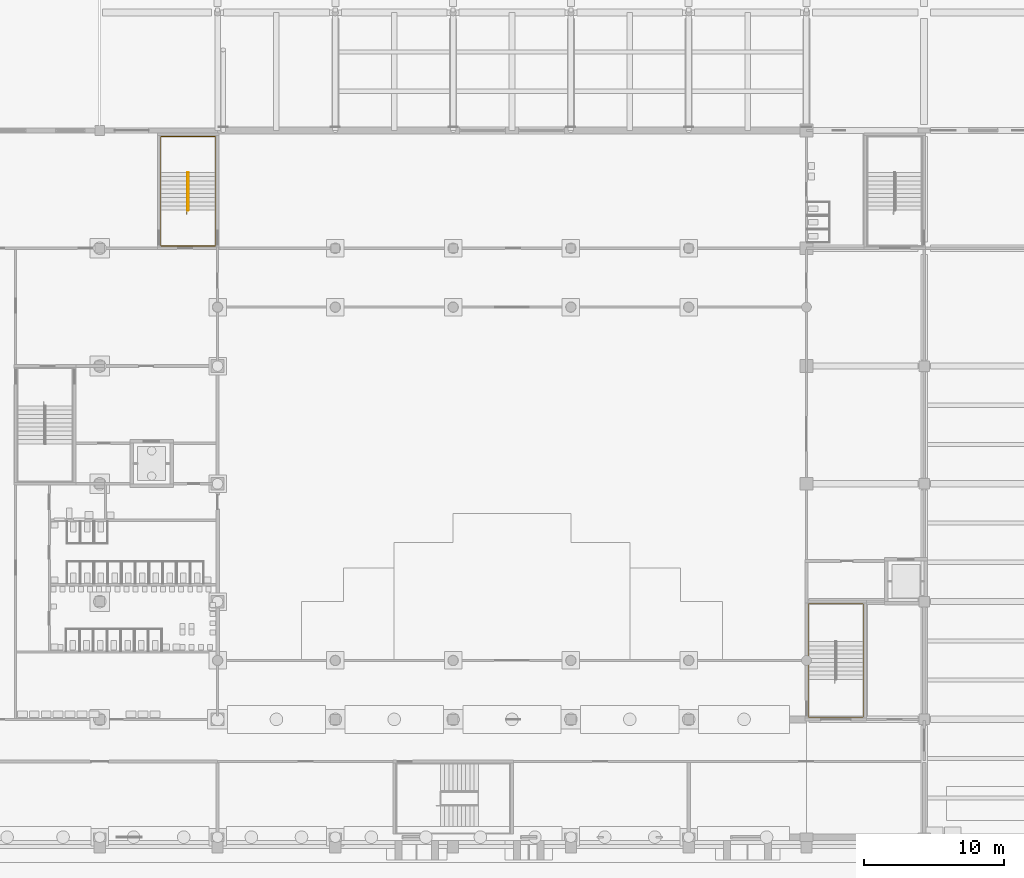
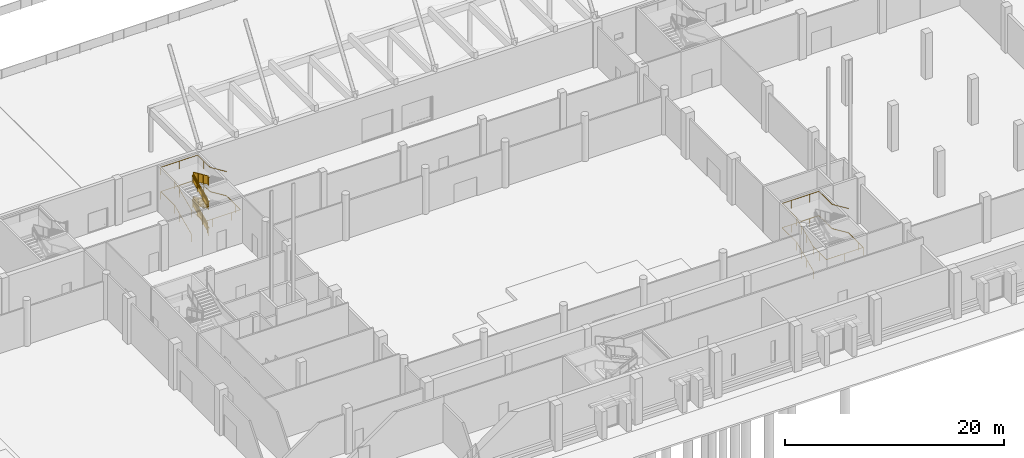
# One storey, part 62 of 74: 7 railings.
"""IFC4 building model written with IfcOpenShell, lengths in metres."""

from ifc_helpers import new_model, si_unit, direction, frame, origin, origin_2d, place, context, subcontext, project, spatial, polyline, circle, outline, extrude, material, type_object, element, save


model = new_model("IFC4")

# Units and contexts
model_context = context("Model", 3, precision=1e-05, world=origin(), true_north=direction((0.0, 1.0)))
body_context = subcontext(model_context, "Body", "Model", "MODEL_VIEW")
ifc_project = project(units=[si_unit("LENGTHUNIT", "METRE"), si_unit("AREAUNIT", "SQUARE_METRE"), si_unit("VOLUMEUNIT", "CUBIC_METRE"), si_unit("PLANEANGLEUNIT", "RADIAN"), si_unit("MASSUNIT", "GRAM", prefix="KILO")], contexts=[model_context])

# Site, building, storey
site_placement = place(None, origin())
site = spatial("IfcSite", under=ifc_project, at=site_placement, CompositionType="ELEMENT")
building_placement = place(site_placement, origin())
building = spatial("IfcBuilding", under=site, at=building_placement, Name="Rulbaag Community and Learning Centre", CompositionType="ELEMENT")
storey_placement = place(building_placement, origin())
storey = spatial("IfcBuildingStorey", under=building, at=storey_placement, Name="L00", CompositionType="ELEMENT", Elevation=0.0)

# Railings
ifc_material_1 = material(Name="Galvanised mild steel", Category="steel")
railing_type_1 = type_object("IfcRailingType", Name="GR-1100 GUARD 1100", PredefinedType="GUARDRAIL", material=ifc_material_1)
railing_1_placement = place(storey_placement, frame((39.8798828125, 44.71240234375, 0.135009765625)))
element("IfcRailing", 1, at=railing_1_placement, inside=storey, type_object=railing_type_1, Name="Guard SH5 L00 G", PredefinedType="GUARDRAIL", context=body_context, shape_type="SweptSolid", body=[
    extrude(circle(Radius=0.02490234375, at=origin_2d()), frame((0.0, 0.0, 1.0751953125), z_axis=(0.0, 0.911921505175, 0.410364677329), x_axis=(-1.0, 0.0, 0.0)), (0.0, 0.0, 1.0), 2.9609375),
    extrude(circle(Radius=0.02001953125, at=origin_2d()), origin(), (0.0, 0.0, 1.0), 1.050048828125),
    extrude(circle(Radius=0.02001953125, at=origin_2d()), frame((0.0, 0.900146484375, 0.405029296875)), (0.0, 0.0, 1.0), 1.050048828125),
    extrude(circle(Radius=0.02001953125, at=origin_2d()), frame((0.0, 1.800048828125, 0.81005859375)), (0.0, 0.0, 1.0), 1.050048828125),
    extrude(circle(Radius=0.02001953125, at=origin_2d()), frame((0.0, 2.7001953125, 1.215087890625)), (0.0, 0.0, 1.0), 1.050048828125),
    extrude(outline(polyline([(0.0, 0.0), (2.7001953125, 1.215087890625), (2.7001953125, 2.1650390625), (0.0, 0.949951171875), (0.0, 0.0)])), frame((-0.0048828125, 0.0, 0.10009765625), z_axis=(1.0, 0.0, 0.0), x_axis=(0.0, 1.0, 0.0)), (0.0, 0.0, 1.0), 0.010009765625),
])
railing_2_placement = place(storey_placement, frame((39.919921875, 47.41259765625, 1.485107421875)))
element("IfcRailing", 2, at=railing_2_placement, inside=storey, type_object=railing_type_1, Name="Guard SH5 L00 G2", PredefinedType="GUARDRAIL", context=body_context, shape_type="SweptSolid", body=[
    extrude(circle(Radius=0.02490234375, at=origin_2d()), frame((0.0, 0.0, 1.0751953125), z_axis=(0.0, -0.91195235894, 0.410296106518), x_axis=(1.0, 0.0, 0.0)), (0.0, 0.0, 1.0), 2.9609375),
    extrude(circle(Radius=0.02001953125, at=origin_2d()), origin(), (0.0, 0.0, 1.0), 1.050048828125),
    extrude(circle(Radius=0.02001953125, at=origin_2d()), frame((0.0, -0.900146484375, 0.405029296875)), (0.0, 0.0, 1.0), 1.050048828125),
    extrude(circle(Radius=0.02001953125, at=origin_2d()), frame((0.0, -1.800048828125, 0.809814453125)), (0.0, 0.0, 1.0), 1.050048828125),
    extrude(circle(Radius=0.02001953125, at=origin_2d()), frame((0.0, -2.7001953125, 1.21484375)), (0.0, 0.0, 1.0), 1.050048828125),
    extrude(outline(polyline([(0.0, 0.0), (2.7001953125, 1.21484375), (2.7001953125, 2.164794921875), (0.0, 0.949951171875), (0.0, 0.0)])), frame((0.0048828125, 0.0, 0.10009765625), z_axis=(-1.0, 0.0, 0.0), x_axis=(0.0, -1.0, 0.0)), (0.0, 0.0, 1.0), 0.010009765625),
])
railing_3_placement = place(storey_placement, frame((39.8798828125, 44.71240234375, 2.8349609375)))
element("IfcRailing", 3, at=railing_3_placement, inside=storey, type_object=railing_type_1, Name="Guard SH5 L00 G3", PredefinedType="GUARDRAIL", context=body_context, shape_type="SweptSolid", body=[
    extrude(circle(Radius=0.02490234375, at=origin_2d()), frame((0.0, 0.0, 1.0751953125), z_axis=(0.0, 0.911921505175, 0.410364677329), x_axis=(-1.0, 0.0, 0.0)), (0.0, 0.0, 1.0), 2.9609375),
    extrude(circle(Radius=0.02001953125, at=origin_2d()), origin(), (0.0, 0.0, 1.0), 1.050048828125),
    extrude(circle(Radius=0.02001953125, at=origin_2d()), frame((0.0, 0.900146484375, 0.405029296875)), (0.0, 0.0, 1.0), 1.050048828125),
    extrude(circle(Radius=0.02001953125, at=origin_2d()), frame((0.0, 1.800048828125, 0.81005859375)), (0.0, 0.0, 1.0), 1.050048828125),
    extrude(circle(Radius=0.02001953125, at=origin_2d()), frame((0.0, 2.7001953125, 1.215087890625)), (0.0, 0.0, 1.0), 1.050048828125),
    extrude(outline(polyline([(0.0, 0.0), (2.7001953125, 1.215087890625), (2.7001953125, 2.1650390625), (0.0, 0.949951171875), (0.0, 0.0)])), frame((-0.0048828125, 0.0, 0.10009765625), z_axis=(1.0, 0.0, 0.0), x_axis=(0.0, 1.0, 0.0)), (0.0, 0.0, 1.0), 0.010009765625),
])
railing_4_placement = place(storey_placement, frame((39.919921875, 47.41259765625, 4.18505859375)))
element("IfcRailing", 4, at=railing_4_placement, inside=storey, type_object=railing_type_1, Name="Guard SH5 L00 G4", PredefinedType="GUARDRAIL", context=body_context, shape_type="SweptSolid", body=[
    extrude(circle(Radius=0.02490234375, at=origin_2d()), frame((0.0, 0.0, 1.0751953125), z_axis=(0.0, -0.91195235894, 0.410296106518), x_axis=(1.0, 0.0, 0.0)), (0.0, 0.0, 1.0), 2.9609375),
    extrude(circle(Radius=0.02001953125, at=origin_2d()), origin(), (0.0, 0.0, 1.0), 1.050048828125),
    extrude(circle(Radius=0.02001953125, at=origin_2d()), frame((0.0, -0.900146484375, 0.405029296875)), (0.0, 0.0, 1.0), 1.050048828125),
    extrude(circle(Radius=0.02001953125, at=origin_2d()), frame((0.0, -1.800048828125, 0.809814453125)), (0.0, 0.0, 1.0), 1.050048828125),
    extrude(circle(Radius=0.02001953125, at=origin_2d()), frame((0.0, -2.7001953125, 1.21484375)), (0.0, 0.0, 1.0), 1.050048828125),
    extrude(outline(polyline([(0.0, 0.0), (2.7001953125, 1.21484375), (2.7001953125, 2.164794921875), (0.0, 0.949951171875), (0.0, 0.0)])), frame((0.0048828125, 0.0, 0.10009765625), z_axis=(-1.0, 0.0, 0.0), x_axis=(0.0, -1.0, 0.0)), (0.0, 0.0, 1.0), 0.010009765625),
])
ifc_material_2 = material(Name="Stainless steel grade 316", Category="steel")
railing_type_2 = type_object("IfcRailingType", Name="HR-900 HANDRAIL 900", PredefinedType="HANDRAIL", material=ifc_material_2)
railing_5_placement = place(storey_placement, frame((84.159912109375, 10.949951171875, 0.0)))
element("IfcRailing", 5, at=railing_5_placement, inside=storey, type_object=railing_type_2, Name="Handrail SH2 L00 O", PredefinedType="HANDRAIL", context=body_context, shape_type="SweptSolid", body=[
    extrude(circle(Radius=0.024169921875, at=origin_2d()), frame((0.0, 0.0, 0.875732421875), z_axis=(0.0, 0.911935388494, 0.410333824115), x_axis=(-1.0, 0.0, 0.0)), (0.0, 0.0, 1.0), 0.3291015625),
    extrude(circle(Radius=0.024169921875, at=origin_2d()), frame((0.0, 0.300048828125, 1.0107421875), z_axis=(0.0, 0.911907618724, 0.410395534713), x_axis=(-1.0, 0.0, 0.0)), (0.0, 0.0, 1.0), 2.960693359375),
    extrude(circle(Radius=0.024169921875, at=origin_2d()), frame((0.0, 3.0, 2.225830078125), z_axis=(0.0, 1.0, 0.0), x_axis=(-1.0, 0.0, 0.0)), (0.0, 0.0, 1.0), 2.68994140625),
    extrude(circle(Radius=0.024169921875, at=origin_2d()), frame((0.0, 5.68994140625, 2.225830078125), z_axis=(1.0, 0.0, 0.0), x_axis=(0.0, 1.0, 0.0)), (0.0, 0.0, 1.0), 3.880126953125),
    extrude(circle(Radius=0.024169921875, at=origin_2d()), frame((3.880126953125, 5.68994140625, 2.225830078125), z_axis=(0.0, -1.0, 0.0), x_axis=(1.0, 0.0, 0.0)), (0.0, 0.0, 1.0), 2.389892578125),
    extrude(circle(Radius=0.024169921875, at=origin_2d()), frame((3.880126953125, 3.300048828125, 2.225830078125), z_axis=(0.0, -0.911935388494, 0.410333824115), x_axis=(1.0, 0.0, 0.0)), (0.0, 0.0, 1.0), 0.3291015625),
    extrude(circle(Radius=0.024169921875, at=origin_2d()), frame((3.880126953125, 3.0, 2.36083984375), z_axis=(0.0, -0.91193847666, 0.410326960834), x_axis=(1.0, 0.0, 0.0)), (0.0, 0.0, 1.0), 2.960693359375),
    extrude(circle(Radius=0.024169921875, at=origin_2d()), frame((3.880126953125, 0.300048828125, 3.57568359375), z_axis=(0.0, -1.0, 0.0), x_axis=(1.0, 0.0, 0.0)), (0.0, 0.0, 1.0), 2.68994140625),
    extrude(circle(Radius=0.024169921875, at=origin_2d()), frame((3.880126953125, -2.389892578125, 3.57568359375), z_axis=(-1.0, 0.0, 0.0), x_axis=(0.0, -1.0, 0.0)), (0.0, 0.0, 1.0), 3.880126953125),
    extrude(circle(Radius=0.024169921875, at=origin_2d()), frame((0.0, -2.389892578125, 3.57568359375), z_axis=(0.0, 1.0, 0.0), x_axis=(-1.0, 0.0, 0.0)), (0.0, 0.0, 1.0), 2.389892578125),
    extrude(circle(Radius=0.024169921875, at=origin_2d()), frame((0.0, 0.0, 3.57568359375), z_axis=(0.0, 0.911935388494, 0.410333824115), x_axis=(-1.0, 0.0, 0.0)), (0.0, 0.0, 1.0), 0.3291015625),
    extrude(circle(Radius=0.024169921875, at=origin_2d()), frame((0.0, 0.300048828125, 3.710693359375), z_axis=(0.0, 0.911907618724, 0.410395534713), x_axis=(-1.0, 0.0, 0.0)), (0.0, 0.0, 1.0), 2.960693359375),
    extrude(circle(Radius=0.024169921875, at=origin_2d()), frame((0.0, 3.0, 4.92578125), z_axis=(0.0, 1.0, 0.0), x_axis=(-1.0, 0.0, 0.0)), (0.0, 0.0, 1.0), 2.68994140625),
    extrude(circle(Radius=0.024169921875, at=origin_2d()), frame((0.0, 5.68994140625, 4.92578125), z_axis=(1.0, 0.0, 0.0), x_axis=(0.0, 1.0, 0.0)), (0.0, 0.0, 1.0), 3.880126953125),
    extrude(circle(Radius=0.024169921875, at=origin_2d()), frame((3.880126953125, 5.68994140625, 4.92578125), z_axis=(0.0, -1.0, 0.0), x_axis=(1.0, 0.0, 0.0)), (0.0, 0.0, 1.0), 2.389892578125),
    extrude(circle(Radius=0.024169921875, at=origin_2d()), frame((3.880126953125, 3.300048828125, 4.92578125), z_axis=(0.0, -0.911935388494, 0.410333824115), x_axis=(1.0, 0.0, 0.0)), (0.0, 0.0, 1.0), 0.3291015625),
    extrude(circle(Radius=0.024169921875, at=origin_2d()), frame((3.880126953125, 3.0, 5.060791015625), z_axis=(0.0, -0.91193847666, 0.410326960834), x_axis=(1.0, 0.0, 0.0)), (0.0, 0.0, 1.0), 2.960693359375),
    extrude(circle(Radius=0.008056640625, at=origin_2d()), origin(), (0.0, 0.0, 1.0), 0.8515625),
    extrude(circle(Radius=0.008056640625, at=origin_2d()), frame((0.0, 0.300048828125, 0.135009765625)), (0.0, 0.0, 1.0), 0.8515625),
    extrude(circle(Radius=0.008056640625, at=origin_2d()), frame((0.0, 1.199951171875, 0.5400390625)), (0.0, 0.0, 1.0), 0.8515625),
    extrude(circle(Radius=0.008056640625, at=origin_2d()), frame((0.0, 2.10009765625, 0.945068359375)), (0.0, 0.0, 1.0), 0.8515625),
    extrude(circle(Radius=0.008056640625, at=origin_2d()), frame((0.0, 3.0, 1.35009765625)), (0.0, 0.0, 1.0), 0.8515625),
    extrude(circle(Radius=0.008056640625, at=origin_2d()), frame((0.0, 3.896728515625, 1.35009765625)), (0.0, 0.0, 1.0), 0.8515625),
    extrude(circle(Radius=0.008056640625, at=origin_2d()), frame((0.0, 4.793212890625, 1.35009765625)), (0.0, 0.0, 1.0), 0.8515625),
    extrude(circle(Radius=0.008056640625, at=origin_2d()), frame((0.0, 5.68994140625, 1.35009765625)), (0.0, 0.0, 1.0), 0.8515625),
    extrude(circle(Radius=0.008056640625, at=origin_2d()), frame((0.969970703125, 5.68994140625, 1.35009765625)), (0.0, 0.0, 1.0), 0.8515625),
    extrude(circle(Radius=0.008056640625, at=origin_2d()), frame((1.93994140625, 5.68994140625, 1.35009765625)), (0.0, 0.0, 1.0), 0.8515625),
    extrude(circle(Radius=0.008056640625, at=origin_2d()), frame((2.91015625, 5.68994140625, 1.35009765625)), (0.0, 0.0, 1.0), 0.8515625),
    extrude(circle(Radius=0.008056640625, at=origin_2d()), frame((3.880126953125, 5.68994140625, 1.35009765625)), (0.0, 0.0, 1.0), 0.8515625),
    extrude(circle(Radius=0.008056640625, at=origin_2d()), frame((3.880126953125, 4.4951171875, 1.35009765625)), (0.0, 0.0, 1.0), 0.8515625),
    extrude(circle(Radius=0.008056640625, at=origin_2d()), frame((3.880126953125, 3.300048828125, 1.35009765625)), (0.0, 0.0, 1.0), 0.8515625),
    extrude(circle(Radius=0.008056640625, at=origin_2d()), frame((3.880126953125, 3.0, 1.485107421875)), (0.0, 0.0, 1.0), 0.8515625),
    extrude(circle(Radius=0.008056640625, at=origin_2d()), frame((3.880126953125, 2.10009765625, 1.89013671875)), (0.0, 0.0, 1.0), 0.8515625),
    extrude(circle(Radius=0.008056640625, at=origin_2d()), frame((3.880126953125, 1.199951171875, 2.294921875)), (0.0, 0.0, 1.0), 0.8515625),
    extrude(circle(Radius=0.008056640625, at=origin_2d()), frame((3.880126953125, 0.300048828125, 2.699951171875)), (0.0, 0.0, 1.0), 0.8515625),
    extrude(circle(Radius=0.008056640625, at=origin_2d()), frame((3.880126953125, -0.5966796875, 2.699951171875)), (0.0, 0.0, 1.0), 0.8515625),
    extrude(circle(Radius=0.008056640625, at=origin_2d()), frame((3.880126953125, -1.4931640625, 2.699951171875)), (0.0, 0.0, 1.0), 0.8515625),
    extrude(circle(Radius=0.008056640625, at=origin_2d()), frame((3.880126953125, -2.389892578125, 2.699951171875)), (0.0, 0.0, 1.0), 0.8515625),
    extrude(circle(Radius=0.008056640625, at=origin_2d()), frame((2.91015625, -2.389892578125, 2.699951171875)), (0.0, 0.0, 1.0), 0.8515625),
    extrude(circle(Radius=0.008056640625, at=origin_2d()), frame((1.93994140625, -2.389892578125, 2.699951171875)), (0.0, 0.0, 1.0), 0.8515625),
    extrude(circle(Radius=0.008056640625, at=origin_2d()), frame((0.969970703125, -2.389892578125, 2.699951171875)), (0.0, 0.0, 1.0), 0.8515625),
    extrude(circle(Radius=0.008056640625, at=origin_2d()), frame((0.0, -2.389892578125, 2.699951171875)), (0.0, 0.0, 1.0), 0.8515625),
    extrude(circle(Radius=0.008056640625, at=origin_2d()), frame((0.0, -1.19482421875, 2.699951171875)), (0.0, 0.0, 1.0), 0.8515625),
    extrude(circle(Radius=0.008056640625, at=origin_2d()), frame((0.0, 0.0, 2.699951171875)), (0.0, 0.0, 1.0), 0.8515625),
    extrude(circle(Radius=0.008056640625, at=origin_2d()), frame((0.0, 0.300048828125, 2.8349609375)), (0.0, 0.0, 1.0), 0.8515625),
    extrude(circle(Radius=0.008056640625, at=origin_2d()), frame((0.0, 1.199951171875, 3.239990234375)), (0.0, 0.0, 1.0), 0.8515625),
    extrude(circle(Radius=0.008056640625, at=origin_2d()), frame((0.0, 2.10009765625, 3.64501953125)), (0.0, 0.0, 1.0), 0.8515625),
    extrude(circle(Radius=0.008056640625, at=origin_2d()), frame((0.0, 3.0, 4.050048828125)), (0.0, 0.0, 1.0), 0.8515625),
    extrude(circle(Radius=0.008056640625, at=origin_2d()), frame((0.0, 3.896728515625, 4.050048828125)), (0.0, 0.0, 1.0), 0.8515625),
    extrude(circle(Radius=0.008056640625, at=origin_2d()), frame((0.0, 4.793212890625, 4.050048828125)), (0.0, 0.0, 1.0), 0.8515625),
    extrude(circle(Radius=0.008056640625, at=origin_2d()), frame((0.0, 5.68994140625, 4.050048828125)), (0.0, 0.0, 1.0), 0.8515625),
    extrude(circle(Radius=0.008056640625, at=origin_2d()), frame((0.969970703125, 5.68994140625, 4.050048828125)), (0.0, 0.0, 1.0), 0.8515625),
    extrude(circle(Radius=0.008056640625, at=origin_2d()), frame((1.93994140625, 5.68994140625, 4.050048828125)), (0.0, 0.0, 1.0), 0.8515625),
    extrude(circle(Radius=0.008056640625, at=origin_2d()), frame((2.91015625, 5.68994140625, 4.050048828125)), (0.0, 0.0, 1.0), 0.8515625),
    extrude(circle(Radius=0.008056640625, at=origin_2d()), frame((3.880126953125, 5.68994140625, 4.050048828125)), (0.0, 0.0, 1.0), 0.8515625),
    extrude(circle(Radius=0.008056640625, at=origin_2d()), frame((3.880126953125, 4.4951171875, 4.050048828125)), (0.0, 0.0, 1.0), 0.8515625),
    extrude(circle(Radius=0.008056640625, at=origin_2d()), frame((3.880126953125, 3.300048828125, 4.050048828125)), (0.0, 0.0, 1.0), 0.8515625),
    extrude(circle(Radius=0.008056640625, at=origin_2d()), frame((3.880126953125, 3.0, 4.18505859375)), (0.0, 0.0, 1.0), 0.8515625),
    extrude(circle(Radius=0.008056640625, at=origin_2d()), frame((3.880126953125, 2.10009765625, 4.590087890625)), (0.0, 0.0, 1.0), 0.8515625),
    extrude(circle(Radius=0.008056640625, at=origin_2d()), frame((3.880126953125, 1.199951171875, 4.994873046875)), (0.0, 0.0, 1.0), 0.8515625),
    extrude(circle(Radius=0.008056640625, at=origin_2d()), frame((3.880126953125, 0.300048828125, 5.39990234375)), (0.0, 0.0, 1.0), 0.8515625),
])
railing_6_placement = place(storey_placement, frame((37.9599609375, 44.41259765625, 0.0)))
element("IfcRailing", 6, at=railing_6_placement, inside=storey, type_object=railing_type_2, Name="Handrail SH5 L00 O", PredefinedType="HANDRAIL", context=body_context, shape_type="SweptSolid", body=[
    extrude(circle(Radius=0.024169921875, at=origin_2d()), frame((0.0, 0.0, 0.875732421875), z_axis=(0.0, 0.911810325798, 0.41061165323), x_axis=(-1.0, 0.0, 0.0)), (0.0, 0.0, 1.0), 0.328857421875),
    extrude(circle(Radius=0.024169921875, at=origin_2d()), frame((0.0, 0.2998046875, 1.0107421875), z_axis=(0.0, 0.911921505175, 0.410364677329), x_axis=(-1.0, 0.0, 0.0)), (0.0, 0.0, 1.0), 2.9609375),
    extrude(circle(Radius=0.024169921875, at=origin_2d()), frame((0.0, 3.0, 2.225830078125), z_axis=(0.0, 1.0, 0.0), x_axis=(-1.0, 0.0, 0.0)), (0.0, 0.0, 1.0), 2.552490234375),
    extrude(circle(Radius=0.024169921875, at=origin_2d()), frame((0.0, 5.552490234375, 2.225830078125), z_axis=(1.0, 0.0, 0.0), x_axis=(0.0, 1.0, 0.0)), (0.0, 0.0, 1.0), 3.880126953125),
    extrude(circle(Radius=0.024169921875, at=origin_2d()), frame((3.880126953125, 5.552490234375, 2.225830078125), z_axis=(0.0, -1.0, 0.0), x_axis=(1.0, 0.0, 0.0)), (0.0, 0.0, 1.0), 2.252685546875),
    extrude(circle(Radius=0.024169921875, at=origin_2d()), frame((3.880126953125, 3.2998046875, 2.225830078125), z_axis=(0.0, -0.911810325798, 0.41061165323), x_axis=(1.0, 0.0, 0.0)), (0.0, 0.0, 1.0), 0.328857421875),
    extrude(circle(Radius=0.024169921875, at=origin_2d()), frame((3.880126953125, 3.0, 2.36083984375), z_axis=(0.0, -0.91195235894, 0.410296106518), x_axis=(1.0, 0.0, 0.0)), (0.0, 0.0, 1.0), 2.9609375),
    extrude(circle(Radius=0.024169921875, at=origin_2d()), frame((3.880126953125, 0.2998046875, 3.57568359375), z_axis=(0.0, -1.0, 0.0), x_axis=(1.0, 0.0, 0.0)), (0.0, 0.0, 1.0), 2.552490234375),
    extrude(circle(Radius=0.024169921875, at=origin_2d()), frame((3.880126953125, -2.252685546875, 3.57568359375), z_axis=(-1.0, 0.0, 0.0), x_axis=(0.0, -1.0, 0.0)), (0.0, 0.0, 1.0), 3.880126953125),
    extrude(circle(Radius=0.024169921875, at=origin_2d()), frame((0.0, -2.252685546875, 3.57568359375), z_axis=(0.0, 1.0, 0.0), x_axis=(-1.0, 0.0, 0.0)), (0.0, 0.0, 1.0), 2.252685546875),
    extrude(circle(Radius=0.024169921875, at=origin_2d()), frame((0.0, 0.0, 3.57568359375), z_axis=(0.0, 0.911810325798, 0.41061165323), x_axis=(-1.0, 0.0, 0.0)), (0.0, 0.0, 1.0), 0.328857421875),
    extrude(circle(Radius=0.024169921875, at=origin_2d()), frame((0.0, 0.2998046875, 3.710693359375), z_axis=(0.0, 0.911921505175, 0.410364677329), x_axis=(-1.0, 0.0, 0.0)), (0.0, 0.0, 1.0), 2.9609375),
    extrude(circle(Radius=0.024169921875, at=origin_2d()), frame((0.0, 3.0, 4.92578125), z_axis=(0.0, 1.0, 0.0), x_axis=(-1.0, 0.0, 0.0)), (0.0, 0.0, 1.0), 2.552490234375),
    extrude(circle(Radius=0.024169921875, at=origin_2d()), frame((0.0, 5.552490234375, 4.92578125), z_axis=(1.0, 0.0, 0.0), x_axis=(0.0, 1.0, 0.0)), (0.0, 0.0, 1.0), 3.880126953125),
    extrude(circle(Radius=0.024169921875, at=origin_2d()), frame((3.880126953125, 5.552490234375, 4.92578125), z_axis=(0.0, -1.0, 0.0), x_axis=(1.0, 0.0, 0.0)), (0.0, 0.0, 1.0), 2.252685546875),
    extrude(circle(Radius=0.024169921875, at=origin_2d()), frame((3.880126953125, 3.2998046875, 4.92578125), z_axis=(0.0, -0.911810325798, 0.41061165323), x_axis=(1.0, 0.0, 0.0)), (0.0, 0.0, 1.0), 0.328857421875),
    extrude(circle(Radius=0.024169921875, at=origin_2d()), frame((3.880126953125, 3.0, 5.060791015625), z_axis=(0.0, -0.91195235894, 0.410296106518), x_axis=(1.0, 0.0, 0.0)), (0.0, 0.0, 1.0), 2.9609375),
    extrude(circle(Radius=0.008056640625, at=origin_2d()), origin(), (0.0, 0.0, 1.0), 0.8515625),
    extrude(circle(Radius=0.008056640625, at=origin_2d()), frame((0.0, 0.2998046875, 0.135009765625)), (0.0, 0.0, 1.0), 0.8515625),
    extrude(circle(Radius=0.008056640625, at=origin_2d()), frame((0.0, 1.199951171875, 0.5400390625)), (0.0, 0.0, 1.0), 0.8515625),
    extrude(circle(Radius=0.008056640625, at=origin_2d()), frame((0.0, 2.099853515625, 0.945068359375)), (0.0, 0.0, 1.0), 0.8515625),
    extrude(circle(Radius=0.008056640625, at=origin_2d()), frame((0.0, 3.0, 1.35009765625)), (0.0, 0.0, 1.0), 0.8515625),
    extrude(circle(Radius=0.008056640625, at=origin_2d()), frame((0.0, 3.850830078125, 1.35009765625)), (0.0, 0.0, 1.0), 0.8515625),
    extrude(circle(Radius=0.008056640625, at=origin_2d()), frame((0.0, 4.70166015625, 1.35009765625)), (0.0, 0.0, 1.0), 0.8515625),
    extrude(circle(Radius=0.008056640625, at=origin_2d()), frame((0.0, 5.552490234375, 1.35009765625)), (0.0, 0.0, 1.0), 0.8515625),
    extrude(circle(Radius=0.008056640625, at=origin_2d()), frame((0.969970703125, 5.552490234375, 1.35009765625)), (0.0, 0.0, 1.0), 0.8515625),
    extrude(circle(Radius=0.008056640625, at=origin_2d()), frame((1.93994140625, 5.552490234375, 1.35009765625)), (0.0, 0.0, 1.0), 0.8515625),
    extrude(circle(Radius=0.008056640625, at=origin_2d()), frame((2.91015625, 5.552490234375, 1.35009765625)), (0.0, 0.0, 1.0), 0.8515625),
    extrude(circle(Radius=0.008056640625, at=origin_2d()), frame((3.880126953125, 5.552490234375, 1.35009765625)), (0.0, 0.0, 1.0), 0.8515625),
    extrude(circle(Radius=0.008056640625, at=origin_2d()), frame((3.880126953125, 4.42626953125, 1.35009765625)), (0.0, 0.0, 1.0), 0.8515625),
    extrude(circle(Radius=0.008056640625, at=origin_2d()), frame((3.880126953125, 3.2998046875, 1.35009765625)), (0.0, 0.0, 1.0), 0.8515625),
    extrude(circle(Radius=0.008056640625, at=origin_2d()), frame((3.880126953125, 3.0, 1.485107421875)), (0.0, 0.0, 1.0), 0.8515625),
    extrude(circle(Radius=0.008056640625, at=origin_2d()), frame((3.880126953125, 2.099853515625, 1.89013671875)), (0.0, 0.0, 1.0), 0.8515625),
    extrude(circle(Radius=0.008056640625, at=origin_2d()), frame((3.880126953125, 1.199951171875, 2.294921875)), (0.0, 0.0, 1.0), 0.8515625),
    extrude(circle(Radius=0.008056640625, at=origin_2d()), frame((3.880126953125, 0.2998046875, 2.699951171875)), (0.0, 0.0, 1.0), 0.8515625),
    extrude(circle(Radius=0.008056640625, at=origin_2d()), frame((3.880126953125, -0.551025390625, 2.699951171875)), (0.0, 0.0, 1.0), 0.8515625),
    extrude(circle(Radius=0.008056640625, at=origin_2d()), frame((3.880126953125, -1.40185546875, 2.699951171875)), (0.0, 0.0, 1.0), 0.8515625),
    extrude(circle(Radius=0.008056640625, at=origin_2d()), frame((3.880126953125, -2.252685546875, 2.699951171875)), (0.0, 0.0, 1.0), 0.8515625),
    extrude(circle(Radius=0.008056640625, at=origin_2d()), frame((2.91015625, -2.252685546875, 2.699951171875)), (0.0, 0.0, 1.0), 0.8515625),
    extrude(circle(Radius=0.008056640625, at=origin_2d()), frame((1.93994140625, -2.252685546875, 2.699951171875)), (0.0, 0.0, 1.0), 0.8515625),
    extrude(circle(Radius=0.008056640625, at=origin_2d()), frame((0.969970703125, -2.252685546875, 2.699951171875)), (0.0, 0.0, 1.0), 0.8515625),
    extrude(circle(Radius=0.008056640625, at=origin_2d()), frame((0.0, -2.252685546875, 2.699951171875)), (0.0, 0.0, 1.0), 0.8515625),
    extrude(circle(Radius=0.008056640625, at=origin_2d()), frame((0.0, -1.12646484375, 2.699951171875)), (0.0, 0.0, 1.0), 0.8515625),
    extrude(circle(Radius=0.008056640625, at=origin_2d()), frame((0.0, 0.0, 2.699951171875)), (0.0, 0.0, 1.0), 0.8515625),
    extrude(circle(Radius=0.008056640625, at=origin_2d()), frame((0.0, 0.2998046875, 2.8349609375)), (0.0, 0.0, 1.0), 0.8515625),
    extrude(circle(Radius=0.008056640625, at=origin_2d()), frame((0.0, 1.199951171875, 3.239990234375)), (0.0, 0.0, 1.0), 0.8515625),
    extrude(circle(Radius=0.008056640625, at=origin_2d()), frame((0.0, 2.099853515625, 3.64501953125)), (0.0, 0.0, 1.0), 0.8515625),
    extrude(circle(Radius=0.008056640625, at=origin_2d()), frame((0.0, 3.0, 4.050048828125)), (0.0, 0.0, 1.0), 0.8515625),
    extrude(circle(Radius=0.008056640625, at=origin_2d()), frame((0.0, 3.850830078125, 4.050048828125)), (0.0, 0.0, 1.0), 0.8515625),
    extrude(circle(Radius=0.008056640625, at=origin_2d()), frame((0.0, 4.70166015625, 4.050048828125)), (0.0, 0.0, 1.0), 0.8515625),
    extrude(circle(Radius=0.008056640625, at=origin_2d()), frame((0.0, 5.552490234375, 4.050048828125)), (0.0, 0.0, 1.0), 0.8515625),
    extrude(circle(Radius=0.008056640625, at=origin_2d()), frame((0.969970703125, 5.552490234375, 4.050048828125)), (0.0, 0.0, 1.0), 0.8515625),
    extrude(circle(Radius=0.008056640625, at=origin_2d()), frame((1.93994140625, 5.552490234375, 4.050048828125)), (0.0, 0.0, 1.0), 0.8515625),
    extrude(circle(Radius=0.008056640625, at=origin_2d()), frame((2.91015625, 5.552490234375, 4.050048828125)), (0.0, 0.0, 1.0), 0.8515625),
    extrude(circle(Radius=0.008056640625, at=origin_2d()), frame((3.880126953125, 5.552490234375, 4.050048828125)), (0.0, 0.0, 1.0), 0.8515625),
    extrude(circle(Radius=0.008056640625, at=origin_2d()), frame((3.880126953125, 4.42626953125, 4.050048828125)), (0.0, 0.0, 1.0), 0.8515625),
    extrude(circle(Radius=0.008056640625, at=origin_2d()), frame((3.880126953125, 3.2998046875, 4.050048828125)), (0.0, 0.0, 1.0), 0.8515625),
    extrude(circle(Radius=0.008056640625, at=origin_2d()), frame((3.880126953125, 3.0, 4.18505859375)), (0.0, 0.0, 1.0), 0.8515625),
    extrude(circle(Radius=0.008056640625, at=origin_2d()), frame((3.880126953125, 2.099853515625, 4.590087890625)), (0.0, 0.0, 1.0), 0.8515625),
    extrude(circle(Radius=0.008056640625, at=origin_2d()), frame((3.880126953125, 1.199951171875, 4.994873046875)), (0.0, 0.0, 1.0), 0.8515625),
    extrude(circle(Radius=0.008056640625, at=origin_2d()), frame((3.880126953125, 0.2998046875, 5.39990234375)), (0.0, 0.0, 1.0), 0.8515625),
])
railing_7_placement = place(storey_placement, frame((39.81005859375, 44.41259765625, 0.0)))
element("IfcRailing", 7, at=railing_7_placement, inside=storey, type_object=railing_type_2, Name="Handrail SH5 L00 I", PredefinedType="HANDRAIL", context=body_context, shape_type="SweptSolid", body=[
    extrude(circle(Radius=0.024169921875, at=origin_2d()), frame((0.0, 0.0, 0.875732421875), z_axis=(0.0, 0.911810325798, 0.41061165323), x_axis=(-1.0, 0.0, 0.0)), (0.0, 0.0, 1.0), 0.328857421875),
    extrude(circle(Radius=0.024169921875, at=origin_2d()), frame((0.0, 0.2998046875, 1.0107421875), z_axis=(0.0, 0.911921505175, 0.410364677329), x_axis=(-1.0, 0.0, 0.0)), (0.0, 0.0, 1.0), 2.9609375),
    extrude(circle(Radius=0.024169921875, at=origin_2d()), frame((0.0, 3.0, 2.225830078125), z_axis=(0.79986974456, 0.0, 0.600173634657), x_axis=(0.0, 1.0, 0.0)), (0.0, 0.0, 1.0), 0.224853515625),
    extrude(circle(Radius=0.024169921875, at=origin_2d()), frame((0.179931640625, 3.0, 2.36083984375), z_axis=(0.0, -0.91195235894, 0.410296106518), x_axis=(1.0, 0.0, 0.0)), (0.0, 0.0, 1.0), 2.9609375),
    extrude(circle(Radius=0.024169921875, at=origin_2d()), frame((0.179931640625, 0.2998046875, 3.57568359375), z_axis=(-0.79986974456, 0.0, 0.600173634657), x_axis=(0.0, -1.0, 0.0)), (0.0, 0.0, 1.0), 0.224853515625),
    extrude(circle(Radius=0.024169921875, at=origin_2d()), frame((0.0, 0.2998046875, 3.710693359375), z_axis=(0.0, 0.911921505175, 0.410364677329), x_axis=(-1.0, 0.0, 0.0)), (0.0, 0.0, 1.0), 2.9609375),
    extrude(circle(Radius=0.024169921875, at=origin_2d()), frame((0.0, 3.0, 4.92578125), z_axis=(0.79986974456, 0.0, 0.600173634657), x_axis=(0.0, 1.0, 0.0)), (0.0, 0.0, 1.0), 0.224853515625),
    extrude(circle(Radius=0.024169921875, at=origin_2d()), frame((0.179931640625, 3.0, 5.060791015625), z_axis=(0.0, -0.91195235894, 0.410296106518), x_axis=(1.0, 0.0, 0.0)), (0.0, 0.0, 1.0), 2.9609375),
    extrude(circle(Radius=0.008056640625, at=origin_2d()), origin(), (0.0, 0.0, 1.0), 0.8515625),
    extrude(circle(Radius=0.008056640625, at=origin_2d()), frame((0.0, 0.2998046875, 0.135009765625)), (0.0, 0.0, 1.0), 0.8515625),
    extrude(circle(Radius=0.008056640625, at=origin_2d()), frame((0.0, 1.199951171875, 0.5400390625)), (0.0, 0.0, 1.0), 0.8515625),
    extrude(circle(Radius=0.008056640625, at=origin_2d()), frame((0.0, 2.099853515625, 0.945068359375)), (0.0, 0.0, 1.0), 0.8515625),
    extrude(circle(Radius=0.008056640625, at=origin_2d()), frame((0.0, 3.0, 1.35009765625)), (0.0, 0.0, 1.0), 0.8515625),
    extrude(circle(Radius=0.008056640625, at=origin_2d()), frame((0.179931640625, 3.0, 1.485107421875)), (0.0, 0.0, 1.0), 0.8515625),
    extrude(circle(Radius=0.008056640625, at=origin_2d()), frame((0.179931640625, 2.099853515625, 1.89013671875)), (0.0, 0.0, 1.0), 0.8515625),
    extrude(circle(Radius=0.008056640625, at=origin_2d()), frame((0.179931640625, 1.199951171875, 2.294921875)), (0.0, 0.0, 1.0), 0.8515625),
    extrude(circle(Radius=0.008056640625, at=origin_2d()), frame((0.179931640625, 0.2998046875, 2.699951171875)), (0.0, 0.0, 1.0), 0.8515625),
    extrude(circle(Radius=0.008056640625, at=origin_2d()), frame((0.0, 0.2998046875, 2.8349609375)), (0.0, 0.0, 1.0), 0.8515625),
    extrude(circle(Radius=0.008056640625, at=origin_2d()), frame((0.0, 1.199951171875, 3.239990234375)), (0.0, 0.0, 1.0), 0.8515625),
    extrude(circle(Radius=0.008056640625, at=origin_2d()), frame((0.0, 2.099853515625, 3.64501953125)), (0.0, 0.0, 1.0), 0.8515625),
    extrude(circle(Radius=0.008056640625, at=origin_2d()), frame((0.0, 3.0, 4.050048828125)), (0.0, 0.0, 1.0), 0.8515625),
    extrude(circle(Radius=0.008056640625, at=origin_2d()), frame((0.179931640625, 3.0, 4.18505859375)), (0.0, 0.0, 1.0), 0.8515625),
    extrude(circle(Radius=0.008056640625, at=origin_2d()), frame((0.179931640625, 2.099853515625, 4.590087890625)), (0.0, 0.0, 1.0), 0.8515625),
    extrude(circle(Radius=0.008056640625, at=origin_2d()), frame((0.179931640625, 1.199951171875, 4.994873046875)), (0.0, 0.0, 1.0), 0.8515625),
    extrude(circle(Radius=0.008056640625, at=origin_2d()), frame((0.179931640625, 0.2998046875, 5.39990234375)), (0.0, 0.0, 1.0), 0.8515625),
])

save(model, "model.ifc")
